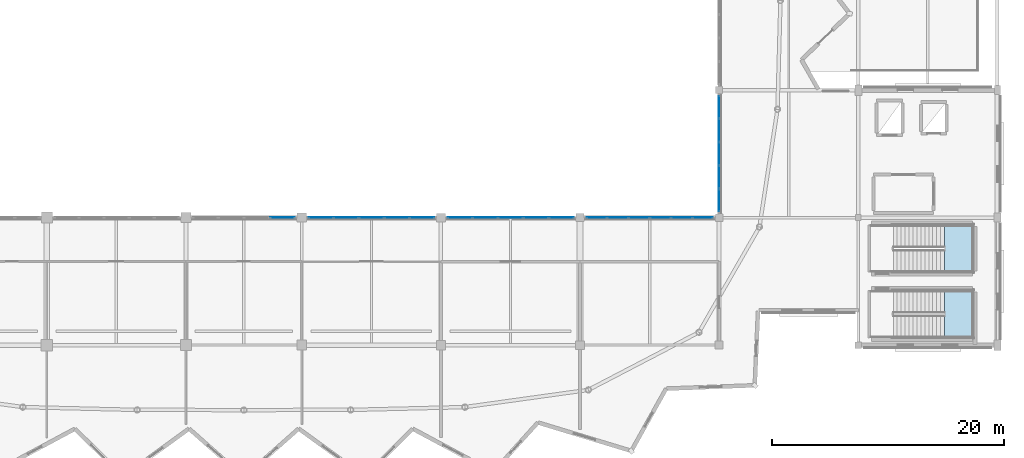
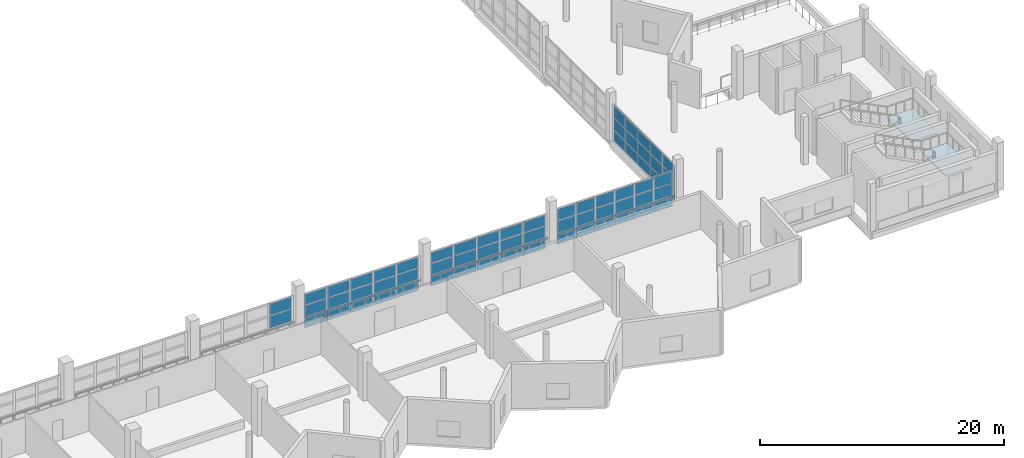
# One storey, part 30 of 53: 65 plates, 2 slabs, 7 elements without a shape of their own.
"""IFC4 building model written with IfcOpenShell, lengths in metres."""

from ifc_helpers import new_model, si_unit, direction, frame, origin, origin_2d, place, context, subcontext, project, spatial, polyline, rectangle, outline, extrude, material, layer, layer_set, type_object, element, aggregate, save


model = new_model("IFC4")

# Units and contexts
model_context = context("Model", 3, precision=1e-05, world=origin(), true_north=direction((0.0, 1.0)))
body_context = subcontext(model_context, "Body", "Model", "MODEL_VIEW")
ifc_project = project(units=[si_unit("LENGTHUNIT", "METRE"), si_unit("AREAUNIT", "SQUARE_METRE"), si_unit("VOLUMEUNIT", "CUBIC_METRE"), si_unit("PLANEANGLEUNIT", "RADIAN"), si_unit("MASSUNIT", "GRAM", prefix="KILO")], contexts=[model_context])

# Site, building, storey
site_placement = place(None, origin())
site = spatial("IfcSite", under=ifc_project, at=site_placement, CompositionType="ELEMENT")
building_placement = place(site_placement, origin())
building = spatial("IfcBuilding", under=site, at=building_placement, Name="Luwafu Chhajja Arena", CompositionType="ELEMENT")
storey_placement = place(building_placement, frame((0.0, 0.0, 19.5)))
storey = spatial("IfcBuildingStorey", under=building, at=storey_placement, Name="L04", CompositionType="ELEMENT", Elevation=19.5)

# Curtain wall, plates
ifc_material_1 = material(Name="Anodised bronze aluminium", Category="aluminium")
curtain_wall_type = type_object("IfcCurtainWallType", Name="Media Ribbon Curtain Wall", PredefinedType="USERDEFINED", material=ifc_material_1)
curtain_wall_1_placement = place(storey_placement, origin())
curtain_wall_1 = element("IfcCurtainWall", 1, at=curtain_wall_1_placement, inside=storey, type_object=curtain_wall_type, Name="L04 Bowl Viewing Curtain Wall CWR-L04-04", ObjectType="CURTAIN WALL", PredefinedType="USERDEFINED")
ifc_material_2 = material(Name="Solar-control laminated glass", Category="glass")
ifc_layer_1 = layer(ifc_material_2, 0.035888671875, Name="Solar-control laminated glass")
ifc_layer_set_1 = layer_set([ifc_layer_1], Name="Solar-control laminated glass")
plate_type = type_object("IfcPlateType", Name="Acoustic Broadcast Double Glazed CW Panel 36", PredefinedType="CURTAIN_PANEL", material=ifc_layer_set_1)
plate_1_placement = place(storey_placement, frame((102.33056640625, 22.0, 1.18505859375), z_axis=(0.0, 0.0, 1.0), x_axis=(1.0, 0.0, 0.0)))
plate_1 = element("IfcPlate", 2, at=plate_1_placement, type_object=plate_type, Name="CW-03 panel 4.2", PredefinedType="CURTAIN_PANEL", context=body_context, shape_type="SweptSolid", body=[
    extrude(rectangle(XDim=2.11865234375, YDim=0.035888671875, at=origin_2d()), origin(), (0.0, 0.0, 1.0), 1.208251953125),
])
plate_2_placement = place(storey_placement, frame((102.33056640625, 22.0, 2.463134765625), z_axis=(0.0, 0.0, 1.0), x_axis=(1.0, 0.0, 0.0)))
plate_2 = element("IfcPlate", 3, at=plate_2_placement, type_object=plate_type, Name="CW-03 panel 4.3", PredefinedType="CURTAIN_PANEL", context=body_context, shape_type="SweptSolid", body=[
    extrude(rectangle(XDim=2.11865234375, YDim=0.035888671875, at=origin_2d()), origin(), (0.0, 0.0, 1.0), 1.17333984375),
])
aggregate(curtain_wall_1, [plate_1, plate_2])

curtain_wall_2_placement = place(storey_placement, origin())
curtain_wall_2 = element("IfcCurtainWall", 4, at=curtain_wall_2_placement, inside=storey, type_object=curtain_wall_type, Name="L04 Bowl Viewing Curtain Wall CWR-L04-05", ObjectType="CURTAIN WALL", PredefinedType="USERDEFINED")
plate_3_placement = place(storey_placement, frame((105.652099609375, 22.0, 0.070068359375), z_axis=(0.0, 0.0, 1.0), x_axis=(1.0, 0.0, 0.0)))
plate_3 = element("IfcPlate", 5, at=plate_3_placement, type_object=plate_type, Name="CW-03 panel 1.1", PredefinedType="CURTAIN_PANEL", context=body_context, shape_type="SweptSolid", body=[
    extrude(rectangle(XDim=2.083984375, YDim=0.035888671875, at=origin_2d()), origin(), (0.0, 0.0, 1.0), 1.044921875),
])
plate_4_placement = place(storey_placement, frame((105.652099609375, 22.0, 1.18505859375), z_axis=(0.0, 0.0, 1.0), x_axis=(1.0, 0.0, 0.0)))
plate_4 = element("IfcPlate", 6, at=plate_4_placement, type_object=plate_type, Name="CW-03 panel 1.2", PredefinedType="CURTAIN_PANEL", context=body_context, shape_type="SweptSolid", body=[
    extrude(rectangle(XDim=2.083984375, YDim=0.035888671875, at=origin_2d()), origin(), (0.0, 0.0, 1.0), 1.10009765625),
])
plate_5_placement = place(storey_placement, frame((105.652099609375, 22.0, 2.35498046875), z_axis=(0.0, 0.0, 1.0), x_axis=(1.0, 0.0, 0.0)))
plate_5 = element("IfcPlate", 7, at=plate_5_placement, type_object=plate_type, Name="CW-03 panel 1.3", PredefinedType="CURTAIN_PANEL", context=body_context, shape_type="SweptSolid", body=[
    extrude(rectangle(XDim=2.083984375, YDim=0.035888671875, at=origin_2d()), origin(), (0.0, 0.0, 1.0), 1.06494140625),
])
plate_6_placement = place(storey_placement, frame((107.823486328125, 22.0, 0.070068359375), z_axis=(0.0, 0.0, 1.0), x_axis=(1.0, 0.0, 0.0)))
plate_6 = element("IfcPlate", 8, at=plate_6_placement, type_object=plate_type, Name="CW-03 panel 2.1", PredefinedType="CURTAIN_PANEL", context=body_context, shape_type="SweptSolid", body=[
    extrude(rectangle(XDim=2.118896484375, YDim=0.035888671875, at=origin_2d()), origin(), (0.0, 0.0, 1.0), 1.044921875),
])
plate_7_placement = place(storey_placement, frame((107.823486328125, 22.0, 1.18505859375), z_axis=(0.0, 0.0, 1.0), x_axis=(1.0, 0.0, 0.0)))
plate_7 = element("IfcPlate", 9, at=plate_7_placement, type_object=plate_type, Name="CW-03 panel 2.2", PredefinedType="CURTAIN_PANEL", context=body_context, shape_type="SweptSolid", body=[
    extrude(rectangle(XDim=2.118896484375, YDim=0.035888671875, at=origin_2d()), origin(), (0.0, 0.0, 1.0), 1.10009765625),
])
plate_8_placement = place(storey_placement, frame((107.823486328125, 22.0, 2.35498046875), z_axis=(0.0, 0.0, 1.0), x_axis=(1.0, 0.0, 0.0)))
plate_8 = element("IfcPlate", 10, at=plate_8_placement, type_object=plate_type, Name="CW-03 panel 2.3", PredefinedType="CURTAIN_PANEL", context=body_context, shape_type="SweptSolid", body=[
    extrude(rectangle(XDim=2.118896484375, YDim=0.035888671875, at=origin_2d()), origin(), (0.0, 0.0, 1.0), 1.06494140625),
])
plate_9_placement = place(storey_placement, frame((110.012451171875, 22.0, 0.070068359375), z_axis=(0.0, 0.0, 1.0), x_axis=(1.0, 0.0, 0.0)))
plate_9 = element("IfcPlate", 11, at=plate_9_placement, type_object=plate_type, Name="CW-03 panel 3.1", PredefinedType="CURTAIN_PANEL", context=body_context, shape_type="SweptSolid", body=[
    extrude(rectangle(XDim=2.118896484375, YDim=0.035888671875, at=origin_2d()), origin(), (0.0, 0.0, 1.0), 1.044921875),
])
plate_10_placement = place(storey_placement, frame((110.012451171875, 22.0, 1.18505859375), z_axis=(0.0, 0.0, 1.0), x_axis=(1.0, 0.0, 0.0)))
plate_10 = element("IfcPlate", 12, at=plate_10_placement, type_object=plate_type, Name="CW-03 panel 3.2", PredefinedType="CURTAIN_PANEL", context=body_context, shape_type="SweptSolid", body=[
    extrude(rectangle(XDim=2.118896484375, YDim=0.035888671875, at=origin_2d()), origin(), (0.0, 0.0, 1.0), 1.10009765625),
])
plate_11_placement = place(storey_placement, frame((110.012451171875, 22.0, 2.35498046875), z_axis=(0.0, 0.0, 1.0), x_axis=(1.0, 0.0, 0.0)))
plate_11 = element("IfcPlate", 13, at=plate_11_placement, type_object=plate_type, Name="CW-03 panel 3.3", PredefinedType="CURTAIN_PANEL", context=body_context, shape_type="SweptSolid", body=[
    extrude(rectangle(XDim=2.118896484375, YDim=0.035888671875, at=origin_2d()), origin(), (0.0, 0.0, 1.0), 1.06494140625),
])
plate_12_placement = place(storey_placement, frame((112.201416015625, 22.0, 0.070068359375), z_axis=(0.0, 0.0, 1.0), x_axis=(1.0, 0.0, 0.0)))
plate_12 = element("IfcPlate", 14, at=plate_12_placement, type_object=plate_type, Name="CW-03 panel 4.1", PredefinedType="CURTAIN_PANEL", context=body_context, shape_type="SweptSolid", body=[
    extrude(rectangle(XDim=2.118896484375, YDim=0.035888671875, at=origin_2d()), origin(), (0.0, 0.0, 1.0), 1.044921875),
])
plate_13_placement = place(storey_placement, frame((112.201416015625, 22.0, 1.18505859375), z_axis=(0.0, 0.0, 1.0), x_axis=(1.0, 0.0, 0.0)))
plate_13 = element("IfcPlate", 15, at=plate_13_placement, type_object=plate_type, Name="CW-03 panel 4.2", PredefinedType="CURTAIN_PANEL", context=body_context, shape_type="SweptSolid", body=[
    extrude(rectangle(XDim=2.118896484375, YDim=0.035888671875, at=origin_2d()), origin(), (0.0, 0.0, 1.0), 1.10009765625),
])
plate_14_placement = place(storey_placement, frame((112.201416015625, 22.0, 2.35498046875), z_axis=(0.0, 0.0, 1.0), x_axis=(1.0, 0.0, 0.0)))
plate_14 = element("IfcPlate", 16, at=plate_14_placement, type_object=plate_type, Name="CW-03 panel 4.3", PredefinedType="CURTAIN_PANEL", context=body_context, shape_type="SweptSolid", body=[
    extrude(rectangle(XDim=2.118896484375, YDim=0.035888671875, at=origin_2d()), origin(), (0.0, 0.0, 1.0), 1.06494140625),
])
plate_15_placement = place(storey_placement, frame((114.373046875, 22.0, 0.070068359375), z_axis=(0.0, 0.0, 1.0), x_axis=(1.0, 0.0, 0.0)))
plate_15 = element("IfcPlate", 17, at=plate_15_placement, type_object=plate_type, Name="CW-03 panel 5.1", PredefinedType="CURTAIN_PANEL", context=body_context, shape_type="SweptSolid", body=[
    extrude(rectangle(XDim=2.083984375, YDim=0.035888671875, at=origin_2d()), origin(), (0.0, 0.0, 1.0), 1.044921875),
])
plate_16_placement = place(storey_placement, frame((114.373046875, 22.0, 1.18505859375), z_axis=(0.0, 0.0, 1.0), x_axis=(1.0, 0.0, 0.0)))
plate_16 = element("IfcPlate", 18, at=plate_16_placement, type_object=plate_type, Name="CW-03 panel 5.2", PredefinedType="CURTAIN_PANEL", context=body_context, shape_type="SweptSolid", body=[
    extrude(rectangle(XDim=2.083984375, YDim=0.035888671875, at=origin_2d()), origin(), (0.0, 0.0, 1.0), 1.10009765625),
])
plate_17_placement = place(storey_placement, frame((114.373046875, 22.0, 2.35498046875), z_axis=(0.0, 0.0, 1.0), x_axis=(1.0, 0.0, 0.0)))
plate_17 = element("IfcPlate", 19, at=plate_17_placement, type_object=plate_type, Name="CW-03 panel 5.3", PredefinedType="CURTAIN_PANEL", context=body_context, shape_type="SweptSolid", body=[
    extrude(rectangle(XDim=2.083984375, YDim=0.035888671875, at=origin_2d()), origin(), (0.0, 0.0, 1.0), 1.06494140625),
])
aggregate(curtain_wall_2, [plate_3, plate_4, plate_5, plate_6, plate_7, plate_8, plate_9, plate_10, plate_11, plate_12, plate_13, plate_14, plate_15, plate_16, plate_17])

curtain_wall_3_placement = place(storey_placement, origin())
curtain_wall_3 = element("IfcCurtainWall", 20, at=curtain_wall_3_placement, inside=storey, type_object=curtain_wall_type, Name="L04 Bowl Viewing Curtain Wall CWR-L04-06", ObjectType="CURTAIN WALL", PredefinedType="USERDEFINED")
plate_18_placement = place(storey_placement, frame((117.632080078125, 22.0, 0.070068359375), z_axis=(0.0, 0.0, 1.0), x_axis=(1.0, 0.0, 0.0)))
plate_18 = element("IfcPlate", 21, at=plate_18_placement, type_object=plate_type, Name="CW-03 panel 1.1", PredefinedType="CURTAIN_PANEL", context=body_context, shape_type="SweptSolid", body=[
    extrude(rectangle(XDim=2.093994140625, YDim=0.035888671875, at=origin_2d()), origin(), (0.0, 0.0, 1.0), 1.044921875),
])
plate_19_placement = place(storey_placement, frame((117.632080078125, 22.0, 1.18505859375), z_axis=(0.0, 0.0, 1.0), x_axis=(1.0, 0.0, 0.0)))
plate_19 = element("IfcPlate", 22, at=plate_19_placement, type_object=plate_type, Name="CW-03 panel 1.2", PredefinedType="CURTAIN_PANEL", context=body_context, shape_type="SweptSolid", body=[
    extrude(rectangle(XDim=2.093994140625, YDim=0.035888671875, at=origin_2d()), origin(), (0.0, 0.0, 1.0), 1.10009765625),
])
plate_20_placement = place(storey_placement, frame((117.632080078125, 22.0, 2.35498046875), z_axis=(0.0, 0.0, 1.0), x_axis=(1.0, 0.0, 0.0)))
plate_20 = element("IfcPlate", 23, at=plate_20_placement, type_object=plate_type, Name="CW-03 panel 1.3", PredefinedType="CURTAIN_PANEL", context=body_context, shape_type="SweptSolid", body=[
    extrude(rectangle(XDim=2.093994140625, YDim=0.035888671875, at=origin_2d()), origin(), (0.0, 0.0, 1.0), 1.06494140625),
])
plate_21_placement = place(storey_placement, frame((119.8134765625, 22.0, 0.070068359375), z_axis=(0.0, 0.0, 1.0), x_axis=(1.0, 0.0, 0.0)))
plate_21 = element("IfcPlate", 24, at=plate_21_placement, type_object=plate_type, Name="CW-03 panel 2.1", PredefinedType="CURTAIN_PANEL", context=body_context, shape_type="SweptSolid", body=[
    extrude(rectangle(XDim=2.12890625, YDim=0.035888671875, at=origin_2d()), origin(), (0.0, 0.0, 1.0), 1.044921875),
])
plate_22_placement = place(storey_placement, frame((119.8134765625, 22.0, 1.18505859375), z_axis=(0.0, 0.0, 1.0), x_axis=(1.0, 0.0, 0.0)))
plate_22 = element("IfcPlate", 25, at=plate_22_placement, type_object=plate_type, Name="CW-03 panel 2.2", PredefinedType="CURTAIN_PANEL", context=body_context, shape_type="SweptSolid", body=[
    extrude(rectangle(XDim=2.12890625, YDim=0.035888671875, at=origin_2d()), origin(), (0.0, 0.0, 1.0), 1.10009765625),
])
plate_23_placement = place(storey_placement, frame((119.8134765625, 22.0, 2.35498046875), z_axis=(0.0, 0.0, 1.0), x_axis=(1.0, 0.0, 0.0)))
plate_23 = element("IfcPlate", 26, at=plate_23_placement, type_object=plate_type, Name="CW-03 panel 2.3", PredefinedType="CURTAIN_PANEL", context=body_context, shape_type="SweptSolid", body=[
    extrude(rectangle(XDim=2.12890625, YDim=0.035888671875, at=origin_2d()), origin(), (0.0, 0.0, 1.0), 1.06494140625),
])
plate_24_placement = place(storey_placement, frame((122.012451171875, 22.0, 0.070068359375), z_axis=(0.0, 0.0, 1.0), x_axis=(1.0, 0.0, 0.0)))
plate_24 = element("IfcPlate", 27, at=plate_24_placement, type_object=plate_type, Name="CW-03 panel 3.1", PredefinedType="CURTAIN_PANEL", context=body_context, shape_type="SweptSolid", body=[
    extrude(rectangle(XDim=2.12890625, YDim=0.035888671875, at=origin_2d()), origin(), (0.0, 0.0, 1.0), 1.044921875),
])
plate_25_placement = place(storey_placement, frame((122.012451171875, 22.0, 1.18505859375), z_axis=(0.0, 0.0, 1.0), x_axis=(1.0, 0.0, 0.0)))
plate_25 = element("IfcPlate", 28, at=plate_25_placement, type_object=plate_type, Name="CW-03 panel 3.2", PredefinedType="CURTAIN_PANEL", context=body_context, shape_type="SweptSolid", body=[
    extrude(rectangle(XDim=2.12890625, YDim=0.035888671875, at=origin_2d()), origin(), (0.0, 0.0, 1.0), 1.10009765625),
])
plate_26_placement = place(storey_placement, frame((122.012451171875, 22.0, 2.35498046875), z_axis=(0.0, 0.0, 1.0), x_axis=(1.0, 0.0, 0.0)))
plate_26 = element("IfcPlate", 29, at=plate_26_placement, type_object=plate_type, Name="CW-03 panel 3.3", PredefinedType="CURTAIN_PANEL", context=body_context, shape_type="SweptSolid", body=[
    extrude(rectangle(XDim=2.12890625, YDim=0.035888671875, at=origin_2d()), origin(), (0.0, 0.0, 1.0), 1.06494140625),
])
plate_27_placement = place(storey_placement, frame((124.21142578125, 22.0, 0.070068359375), z_axis=(0.0, 0.0, 1.0), x_axis=(1.0, 0.0, 0.0)))
plate_27 = element("IfcPlate", 30, at=plate_27_placement, type_object=plate_type, Name="CW-03 panel 4.1", PredefinedType="CURTAIN_PANEL", context=body_context, shape_type="SweptSolid", body=[
    extrude(rectangle(XDim=2.12890625, YDim=0.035888671875, at=origin_2d()), origin(), (0.0, 0.0, 1.0), 1.044921875),
])
plate_28_placement = place(storey_placement, frame((124.21142578125, 22.0, 1.18505859375), z_axis=(0.0, 0.0, 1.0), x_axis=(1.0, 0.0, 0.0)))
plate_28 = element("IfcPlate", 31, at=plate_28_placement, type_object=plate_type, Name="CW-03 panel 4.2", PredefinedType="CURTAIN_PANEL", context=body_context, shape_type="SweptSolid", body=[
    extrude(rectangle(XDim=2.12890625, YDim=0.035888671875, at=origin_2d()), origin(), (0.0, 0.0, 1.0), 1.10009765625),
])
plate_29_placement = place(storey_placement, frame((124.21142578125, 22.0, 2.35498046875), z_axis=(0.0, 0.0, 1.0), x_axis=(1.0, 0.0, 0.0)))
plate_29 = element("IfcPlate", 32, at=plate_29_placement, type_object=plate_type, Name="CW-03 panel 4.3", PredefinedType="CURTAIN_PANEL", context=body_context, shape_type="SweptSolid", body=[
    extrude(rectangle(XDim=2.12890625, YDim=0.035888671875, at=origin_2d()), origin(), (0.0, 0.0, 1.0), 1.06494140625),
])
plate_30_placement = place(storey_placement, frame((126.39306640625, 22.0, 0.070068359375), z_axis=(0.0, 0.0, 1.0), x_axis=(1.0, 0.0, 0.0)))
plate_30 = element("IfcPlate", 33, at=plate_30_placement, type_object=plate_type, Name="CW-03 panel 5.1", PredefinedType="CURTAIN_PANEL", context=body_context, shape_type="SweptSolid", body=[
    extrude(rectangle(XDim=2.093994140625, YDim=0.035888671875, at=origin_2d()), origin(), (0.0, 0.0, 1.0), 1.044921875),
])
plate_31_placement = place(storey_placement, frame((126.39306640625, 22.0, 1.18505859375), z_axis=(0.0, 0.0, 1.0), x_axis=(1.0, 0.0, 0.0)))
plate_31 = element("IfcPlate", 34, at=plate_31_placement, type_object=plate_type, Name="CW-03 panel 5.2", PredefinedType="CURTAIN_PANEL", context=body_context, shape_type="SweptSolid", body=[
    extrude(rectangle(XDim=2.093994140625, YDim=0.035888671875, at=origin_2d()), origin(), (0.0, 0.0, 1.0), 1.10009765625),
])
plate_32_placement = place(storey_placement, frame((126.39306640625, 22.0, 2.35498046875), z_axis=(0.0, 0.0, 1.0), x_axis=(1.0, 0.0, 0.0)))
plate_32 = element("IfcPlate", 35, at=plate_32_placement, type_object=plate_type, Name="CW-03 panel 5.3", PredefinedType="CURTAIN_PANEL", context=body_context, shape_type="SweptSolid", body=[
    extrude(rectangle(XDim=2.093994140625, YDim=0.035888671875, at=origin_2d()), origin(), (0.0, 0.0, 1.0), 1.06494140625),
])
aggregate(curtain_wall_3, [plate_18, plate_19, plate_20, plate_21, plate_22, plate_23, plate_24, plate_25, plate_26, plate_27, plate_28, plate_29, plate_30, plate_31, plate_32])

curtain_wall_4_placement = place(storey_placement, origin())
curtain_wall_4 = element("IfcCurtainWall", 36, at=curtain_wall_4_placement, inside=storey, type_object=curtain_wall_type, Name="L04 Bowl Viewing Curtain Wall CWR-L04-07", ObjectType="CURTAIN WALL", PredefinedType="USERDEFINED")
plate_33_placement = place(storey_placement, frame((129.427978515625, 22.0, 0.070068359375), z_axis=(0.0, 0.0, 1.0), x_axis=(1.0, 0.0, 0.0)))
plate_33 = element("IfcPlate", 37, at=plate_33_placement, type_object=plate_type, Name="CW-03 panel 1.1", PredefinedType="CURTAIN_PANEL", context=body_context, shape_type="SweptSolid", body=[
    extrude(rectangle(XDim=1.73583984375, YDim=0.035888671875, at=origin_2d()), origin(), (0.0, 0.0, 1.0), 1.044921875),
])
plate_34_placement = place(storey_placement, frame((129.427978515625, 22.0, 1.18505859375), z_axis=(0.0, 0.0, 1.0), x_axis=(1.0, 0.0, 0.0)))
plate_34 = element("IfcPlate", 38, at=plate_34_placement, type_object=plate_type, Name="CW-03 panel 1.2", PredefinedType="CURTAIN_PANEL", context=body_context, shape_type="SweptSolid", body=[
    extrude(rectangle(XDim=1.73583984375, YDim=0.035888671875, at=origin_2d()), origin(), (0.0, 0.0, 1.0), 1.175048828125),
])
plate_35_placement = place(storey_placement, frame((129.427978515625, 22.0, 2.43017578125), z_axis=(0.0, 0.0, 1.0), x_axis=(1.0, 0.0, 0.0)))
plate_35 = element("IfcPlate", 39, at=plate_35_placement, type_object=plate_type, Name="CW-03 panel 1.3", PredefinedType="CURTAIN_PANEL", context=body_context, shape_type="SweptSolid", body=[
    extrude(rectangle(XDim=1.73583984375, YDim=0.035888671875, at=origin_2d()), origin(), (0.0, 0.0, 1.0), 1.139892578125),
])
plate_36_placement = place(storey_placement, frame((131.251220703125, 22.0, 0.070068359375), z_axis=(0.0, 0.0, 1.0), x_axis=(1.0, 0.0, 0.0)))
plate_36 = element("IfcPlate", 40, at=plate_36_placement, type_object=plate_type, Name="CW-03 panel 2.1", PredefinedType="CURTAIN_PANEL", context=body_context, shape_type="SweptSolid", body=[
    extrude(rectangle(XDim=1.770751953125, YDim=0.035888671875, at=origin_2d()), origin(), (0.0, 0.0, 1.0), 1.044921875),
])
plate_37_placement = place(storey_placement, frame((131.251220703125, 22.0, 1.18505859375), z_axis=(0.0, 0.0, 1.0), x_axis=(1.0, 0.0, 0.0)))
plate_37 = element("IfcPlate", 41, at=plate_37_placement, type_object=plate_type, Name="CW-03 panel 2.2", PredefinedType="CURTAIN_PANEL", context=body_context, shape_type="SweptSolid", body=[
    extrude(rectangle(XDim=1.770751953125, YDim=0.035888671875, at=origin_2d()), origin(), (0.0, 0.0, 1.0), 1.175048828125),
])
plate_38_placement = place(storey_placement, frame((131.251220703125, 22.0, 2.43017578125), z_axis=(0.0, 0.0, 1.0), x_axis=(1.0, 0.0, 0.0)))
plate_38 = element("IfcPlate", 42, at=plate_38_placement, type_object=plate_type, Name="CW-03 panel 2.3", PredefinedType="CURTAIN_PANEL", context=body_context, shape_type="SweptSolid", body=[
    extrude(rectangle(XDim=1.770751953125, YDim=0.035888671875, at=origin_2d()), origin(), (0.0, 0.0, 1.0), 1.139892578125),
])
plate_39_placement = place(storey_placement, frame((133.092041015625, 22.0, 0.070068359375), z_axis=(0.0, 0.0, 1.0), x_axis=(1.0, 0.0, 0.0)))
plate_39 = element("IfcPlate", 43, at=plate_39_placement, type_object=plate_type, Name="CW-03 panel 3.1", PredefinedType="CURTAIN_PANEL", context=body_context, shape_type="SweptSolid", body=[
    extrude(rectangle(XDim=1.770751953125, YDim=0.035888671875, at=origin_2d()), origin(), (0.0, 0.0, 1.0), 1.044921875),
])
plate_40_placement = place(storey_placement, frame((133.092041015625, 22.0, 1.18505859375), z_axis=(0.0, 0.0, 1.0), x_axis=(1.0, 0.0, 0.0)))
plate_40 = element("IfcPlate", 44, at=plate_40_placement, type_object=plate_type, Name="CW-03 panel 3.2", PredefinedType="CURTAIN_PANEL", context=body_context, shape_type="SweptSolid", body=[
    extrude(rectangle(XDim=1.770751953125, YDim=0.035888671875, at=origin_2d()), origin(), (0.0, 0.0, 1.0), 1.175048828125),
])
plate_41_placement = place(storey_placement, frame((133.092041015625, 22.0, 2.43017578125), z_axis=(0.0, 0.0, 1.0), x_axis=(1.0, 0.0, 0.0)))
plate_41 = element("IfcPlate", 45, at=plate_41_placement, type_object=plate_type, Name="CW-03 panel 3.3", PredefinedType="CURTAIN_PANEL", context=body_context, shape_type="SweptSolid", body=[
    extrude(rectangle(XDim=1.770751953125, YDim=0.035888671875, at=origin_2d()), origin(), (0.0, 0.0, 1.0), 1.139892578125),
])
plate_42_placement = place(storey_placement, frame((134.932861328125, 22.0, 0.070068359375), z_axis=(0.0, 0.0, 1.0), x_axis=(1.0, 0.0, 0.0)))
plate_42 = element("IfcPlate", 46, at=plate_42_placement, type_object=plate_type, Name="CW-03 panel 4.1", PredefinedType="CURTAIN_PANEL", context=body_context, shape_type="SweptSolid", body=[
    extrude(rectangle(XDim=1.770751953125, YDim=0.035888671875, at=origin_2d()), origin(), (0.0, 0.0, 1.0), 1.044921875),
])
plate_43_placement = place(storey_placement, frame((134.932861328125, 22.0, 1.18505859375), z_axis=(0.0, 0.0, 1.0), x_axis=(1.0, 0.0, 0.0)))
plate_43 = element("IfcPlate", 47, at=plate_43_placement, type_object=plate_type, Name="CW-03 panel 4.2", PredefinedType="CURTAIN_PANEL", context=body_context, shape_type="SweptSolid", body=[
    extrude(rectangle(XDim=1.770751953125, YDim=0.035888671875, at=origin_2d()), origin(), (0.0, 0.0, 1.0), 1.175048828125),
])
plate_44_placement = place(storey_placement, frame((134.932861328125, 22.0, 2.43017578125), z_axis=(0.0, 0.0, 1.0), x_axis=(1.0, 0.0, 0.0)))
plate_44 = element("IfcPlate", 48, at=plate_44_placement, type_object=plate_type, Name="CW-03 panel 4.3", PredefinedType="CURTAIN_PANEL", context=body_context, shape_type="SweptSolid", body=[
    extrude(rectangle(XDim=1.770751953125, YDim=0.035888671875, at=origin_2d()), origin(), (0.0, 0.0, 1.0), 1.139892578125),
])
plate_45_placement = place(storey_placement, frame((136.773681640625, 22.0, 0.070068359375), z_axis=(0.0, 0.0, 1.0), x_axis=(1.0, 0.0, 0.0)))
plate_45 = element("IfcPlate", 49, at=plate_45_placement, type_object=plate_type, Name="CW-03 panel 5.1", PredefinedType="CURTAIN_PANEL", context=body_context, shape_type="SweptSolid", body=[
    extrude(rectangle(XDim=1.770751953125, YDim=0.035888671875, at=origin_2d()), origin(), (0.0, 0.0, 1.0), 1.044921875),
])
plate_46_placement = place(storey_placement, frame((136.773681640625, 22.0, 1.18505859375), z_axis=(0.0, 0.0, 1.0), x_axis=(1.0, 0.0, 0.0)))
plate_46 = element("IfcPlate", 50, at=plate_46_placement, type_object=plate_type, Name="CW-03 panel 5.2", PredefinedType="CURTAIN_PANEL", context=body_context, shape_type="SweptSolid", body=[
    extrude(rectangle(XDim=1.770751953125, YDim=0.035888671875, at=origin_2d()), origin(), (0.0, 0.0, 1.0), 1.175048828125),
])
plate_47_placement = place(storey_placement, frame((136.773681640625, 22.0, 2.43017578125), z_axis=(0.0, 0.0, 1.0), x_axis=(1.0, 0.0, 0.0)))
plate_47 = element("IfcPlate", 51, at=plate_47_placement, type_object=plate_type, Name="CW-03 panel 5.3", PredefinedType="CURTAIN_PANEL", context=body_context, shape_type="SweptSolid", body=[
    extrude(rectangle(XDim=1.770751953125, YDim=0.035888671875, at=origin_2d()), origin(), (0.0, 0.0, 1.0), 1.139892578125),
])
plate_48_placement = place(storey_placement, frame((138.59716796875, 22.0, 0.070068359375), z_axis=(0.0, 0.0, 1.0), x_axis=(1.0, 0.0, 0.0)))
plate_48 = element("IfcPlate", 52, at=plate_48_placement, type_object=plate_type, Name="CW-03 panel 6.1", PredefinedType="CURTAIN_PANEL", context=body_context, shape_type="SweptSolid", body=[
    extrude(rectangle(XDim=1.73583984375, YDim=0.035888671875, at=origin_2d()), origin(), (0.0, 0.0, 1.0), 1.044921875),
])
plate_49_placement = place(storey_placement, frame((138.59716796875, 22.0, 1.18505859375), z_axis=(0.0, 0.0, 1.0), x_axis=(1.0, 0.0, 0.0)))
plate_49 = element("IfcPlate", 53, at=plate_49_placement, type_object=plate_type, Name="CW-03 panel 6.2", PredefinedType="CURTAIN_PANEL", context=body_context, shape_type="SweptSolid", body=[
    extrude(rectangle(XDim=1.73583984375, YDim=0.035888671875, at=origin_2d()), origin(), (0.0, 0.0, 1.0), 1.175048828125),
])
plate_50_placement = place(storey_placement, frame((138.59716796875, 22.0, 2.43017578125), z_axis=(0.0, 0.0, 1.0), x_axis=(1.0, 0.0, 0.0)))
plate_50 = element("IfcPlate", 54, at=plate_50_placement, type_object=plate_type, Name="CW-03 panel 6.3", PredefinedType="CURTAIN_PANEL", context=body_context, shape_type="SweptSolid", body=[
    extrude(rectangle(XDim=1.73583984375, YDim=0.035888671875, at=origin_2d()), origin(), (0.0, 0.0, 1.0), 1.139892578125),
])
aggregate(curtain_wall_4, [plate_33, plate_34, plate_35, plate_36, plate_37, plate_38, plate_39, plate_40, plate_41, plate_42, plate_43, plate_44, plate_45, plate_46, plate_47, plate_48, plate_49, plate_50])

curtain_wall_5_placement = place(storey_placement, origin())
curtain_wall_5 = element("IfcCurtainWall", 55, at=curtain_wall_5_placement, inside=storey, type_object=curtain_wall_type, Name="L04 Bowl Viewing Curtain Wall CWR-L04-20", ObjectType="CURTAIN WALL", PredefinedType="USERDEFINED")
plate_51_placement = place(storey_placement, frame((140.0, 23.491943359375, 0.070068359375), z_axis=(0.0, 0.0, 1.0), x_axis=(0.0, 1.0, 0.0)))
plate_51 = element("IfcPlate", 56, at=plate_51_placement, type_object=plate_type, Name="CW-03 panel 1.1", PredefinedType="CURTAIN_PANEL", context=body_context, shape_type="SweptSolid", body=[
    extrude(rectangle(XDim=1.9140625, YDim=0.035888671875, at=origin_2d()), origin(), (0.0, 0.0, 1.0), 1.044921875),
])
plate_52_placement = place(storey_placement, frame((140.0, 23.491943359375, 1.18505859375), z_axis=(0.0, 0.0, 1.0), x_axis=(0.0, 1.0, 0.0)))
plate_52 = element("IfcPlate", 57, at=plate_52_placement, type_object=plate_type, Name="CW-03 panel 1.2", PredefinedType="CURTAIN_PANEL", context=body_context, shape_type="SweptSolid", body=[
    extrude(rectangle(XDim=1.9140625, YDim=0.035888671875, at=origin_2d()), origin(), (0.0, 0.0, 1.0), 1.208251953125),
])
plate_53_placement = place(storey_placement, frame((140.0, 23.491943359375, 2.463134765625), z_axis=(0.0, 0.0, 1.0), x_axis=(0.0, 1.0, 0.0)))
plate_53 = element("IfcPlate", 58, at=plate_53_placement, type_object=plate_type, Name="CW-03 panel 1.3", PredefinedType="CURTAIN_PANEL", context=body_context, shape_type="SweptSolid", body=[
    extrude(rectangle(XDim=1.9140625, YDim=0.035888671875, at=origin_2d()), origin(), (0.0, 0.0, 1.0), 1.17333984375),
])
plate_54_placement = place(storey_placement, frame((140.0, 25.493408203125, 0.070068359375), z_axis=(0.0, 0.0, 1.0), x_axis=(0.0, 1.0, 0.0)))
plate_54 = element("IfcPlate", 59, at=plate_54_placement, type_object=plate_type, Name="CW-03 panel 2.1", PredefinedType="CURTAIN_PANEL", context=body_context, shape_type="SweptSolid", body=[
    extrude(rectangle(XDim=1.948974609375, YDim=0.035888671875, at=origin_2d()), origin(), (0.0, 0.0, 1.0), 1.044921875),
])
plate_55_placement = place(storey_placement, frame((140.0, 25.493408203125, 1.18505859375), z_axis=(0.0, 0.0, 1.0), x_axis=(0.0, 1.0, 0.0)))
plate_55 = element("IfcPlate", 60, at=plate_55_placement, type_object=plate_type, Name="CW-03 panel 2.2", PredefinedType="CURTAIN_PANEL", context=body_context, shape_type="SweptSolid", body=[
    extrude(rectangle(XDim=1.948974609375, YDim=0.035888671875, at=origin_2d()), origin(), (0.0, 0.0, 1.0), 1.208251953125),
])
plate_56_placement = place(storey_placement, frame((140.0, 25.493408203125, 2.463134765625), z_axis=(0.0, 0.0, 1.0), x_axis=(0.0, 1.0, 0.0)))
plate_56 = element("IfcPlate", 61, at=plate_56_placement, type_object=plate_type, Name="CW-03 panel 2.3", PredefinedType="CURTAIN_PANEL", context=body_context, shape_type="SweptSolid", body=[
    extrude(rectangle(XDim=1.948974609375, YDim=0.035888671875, at=origin_2d()), origin(), (0.0, 0.0, 1.0), 1.17333984375),
])
plate_57_placement = place(storey_placement, frame((140.0, 27.512451171875, 0.070068359375), z_axis=(0.0, 0.0, 1.0), x_axis=(0.0, 1.0, 0.0)))
plate_57 = element("IfcPlate", 62, at=plate_57_placement, type_object=plate_type, Name="CW-03 panel 3.1", PredefinedType="CURTAIN_PANEL", context=body_context, shape_type="SweptSolid", body=[
    extrude(rectangle(XDim=1.948974609375, YDim=0.035888671875, at=origin_2d()), origin(), (0.0, 0.0, 1.0), 1.044921875),
])
plate_58_placement = place(storey_placement, frame((140.0, 27.512451171875, 1.18505859375), z_axis=(0.0, 0.0, 1.0), x_axis=(0.0, 1.0, 0.0)))
plate_58 = element("IfcPlate", 63, at=plate_58_placement, type_object=plate_type, Name="CW-03 panel 3.2", PredefinedType="CURTAIN_PANEL", context=body_context, shape_type="SweptSolid", body=[
    extrude(rectangle(XDim=1.948974609375, YDim=0.035888671875, at=origin_2d()), origin(), (0.0, 0.0, 1.0), 1.208251953125),
])
plate_59_placement = place(storey_placement, frame((140.0, 27.512451171875, 2.463134765625), z_axis=(0.0, 0.0, 1.0), x_axis=(0.0, 1.0, 0.0)))
plate_59 = element("IfcPlate", 64, at=plate_59_placement, type_object=plate_type, Name="CW-03 panel 3.3", PredefinedType="CURTAIN_PANEL", context=body_context, shape_type="SweptSolid", body=[
    extrude(rectangle(XDim=1.948974609375, YDim=0.035888671875, at=origin_2d()), origin(), (0.0, 0.0, 1.0), 1.17333984375),
])
plate_60_placement = place(storey_placement, frame((140.0, 29.531494140625, 0.070068359375), z_axis=(0.0, 0.0, 1.0), x_axis=(0.0, 1.0, 0.0)))
plate_60 = element("IfcPlate", 65, at=plate_60_placement, type_object=plate_type, Name="CW-03 panel 4.1", PredefinedType="CURTAIN_PANEL", context=body_context, shape_type="SweptSolid", body=[
    extrude(rectangle(XDim=1.948974609375, YDim=0.035888671875, at=origin_2d()), origin(), (0.0, 0.0, 1.0), 1.044921875),
])
plate_61_placement = place(storey_placement, frame((140.0, 29.531494140625, 1.18505859375), z_axis=(0.0, 0.0, 1.0), x_axis=(0.0, 1.0, 0.0)))
plate_61 = element("IfcPlate", 66, at=plate_61_placement, type_object=plate_type, Name="CW-03 panel 4.2", PredefinedType="CURTAIN_PANEL", context=body_context, shape_type="SweptSolid", body=[
    extrude(rectangle(XDim=1.948974609375, YDim=0.035888671875, at=origin_2d()), origin(), (0.0, 0.0, 1.0), 1.208251953125),
])
plate_62_placement = place(storey_placement, frame((140.0, 29.531494140625, 2.463134765625), z_axis=(0.0, 0.0, 1.0), x_axis=(0.0, 1.0, 0.0)))
plate_62 = element("IfcPlate", 67, at=plate_62_placement, type_object=plate_type, Name="CW-03 panel 4.3", PredefinedType="CURTAIN_PANEL", context=body_context, shape_type="SweptSolid", body=[
    extrude(rectangle(XDim=1.948974609375, YDim=0.035888671875, at=origin_2d()), origin(), (0.0, 0.0, 1.0), 1.17333984375),
])
plate_63_placement = place(storey_placement, frame((140.0, 31.532958984375, 0.070068359375), z_axis=(0.0, 0.0, 1.0), x_axis=(0.0, 1.0, 0.0)))
plate_63 = element("IfcPlate", 68, at=plate_63_placement, type_object=plate_type, Name="CW-03 panel 5.1", PredefinedType="CURTAIN_PANEL", context=body_context, shape_type="SweptSolid", body=[
    extrude(rectangle(XDim=1.9140625, YDim=0.035888671875, at=origin_2d()), origin(), (0.0, 0.0, 1.0), 1.044921875),
])
plate_64_placement = place(storey_placement, frame((140.0, 31.532958984375, 1.18505859375), z_axis=(0.0, 0.0, 1.0), x_axis=(0.0, 1.0, 0.0)))
plate_64 = element("IfcPlate", 69, at=plate_64_placement, type_object=plate_type, Name="CW-03 panel 5.2", PredefinedType="CURTAIN_PANEL", context=body_context, shape_type="SweptSolid", body=[
    extrude(rectangle(XDim=1.9140625, YDim=0.035888671875, at=origin_2d()), origin(), (0.0, 0.0, 1.0), 1.208251953125),
])
plate_65_placement = place(storey_placement, frame((140.0, 31.532958984375, 2.463134765625), z_axis=(0.0, 0.0, 1.0), x_axis=(0.0, 1.0, 0.0)))
plate_65 = element("IfcPlate", 70, at=plate_65_placement, type_object=plate_type, Name="CW-03 panel 5.3", PredefinedType="CURTAIN_PANEL", context=body_context, shape_type="SweptSolid", body=[
    extrude(rectangle(XDim=1.9140625, YDim=0.035888671875, at=origin_2d()), origin(), (0.0, 0.0, 1.0), 1.17333984375),
])
aggregate(curtain_wall_5, [plate_51, plate_52, plate_53, plate_54, plate_55, plate_56, plate_57, plate_58, plate_59, plate_60, plate_61, plate_62, plate_63, plate_64, plate_65])

# Stair, slab
ifc_material_3 = material(Name="Concrete C35/45", Category="concrete")
stair_type = type_object("IfcStairType", Name="Quadrant Protected Dog-Leg Stair 1920", PredefinedType="HALF_TURN_STAIR", material=ifc_material_3)
stair_1_placement = place(storey_placement, origin())
stair_1 = element("IfcStair", 71, at=stair_1_placement, inside=storey, type_object=stair_type, Name="L04 Protected Escape Stair ST-03", PredefinedType="HALF_TURN_STAIR")
ifc_layer_2 = layer(ifc_material_3, 0.199951171875, Name="Concrete C35/45")
ifc_layer_set_2 = layer_set([ifc_layer_2], Name="Concrete C35/45")
slab_type = type_object("IfcSlabType", Name="Escape Stair Landing Slab 200", PredefinedType="LANDING", material=ifc_layer_set_2)
slab_1_placement = place(storey_placement, frame((0.0, 0.0, 2.199951171875)))
slab_1 = element("IfcSlab", 72, at=slab_1_placement, type_object=slab_type, Name="ST-03 landing 1", PredefinedType="LANDING", context=body_context, shape_type="SweptSolid", body=[
    extrude(outline(polyline([(159.43994140625, 11.64990234375), (161.89990234375, 11.64990234375), (161.89990234375, 15.68994140625), (159.43994140625, 15.68994140625), (159.43994140625, 11.64990234375)])), origin(), (0.0, 0.0, 1.0), 0.199951171875),
])
aggregate(stair_1, [slab_1])

stair_2_placement = place(storey_placement, origin())
stair_2 = element("IfcStair", 73, at=stair_2_placement, inside=storey, type_object=stair_type, Name="L04 Protected Escape Stair ST-04", PredefinedType="HALF_TURN_STAIR")
slab_2_placement = place(storey_placement, frame((0.0, 0.0, 2.199951171875)))
slab_2 = element("IfcSlab", 74, at=slab_2_placement, type_object=slab_type, Name="ST-04 landing 1", PredefinedType="LANDING", context=body_context, shape_type="SweptSolid", body=[
    extrude(outline(polyline([(159.43994140625, 17.31005859375), (161.89990234375, 17.31005859375), (161.89990234375, 21.35009765625), (159.43994140625, 21.35009765625), (159.43994140625, 17.31005859375)])), origin(), (0.0, 0.0, 1.0), 0.199951171875),
])
aggregate(stair_2, [slab_2])

save(model, "model.ifc")
